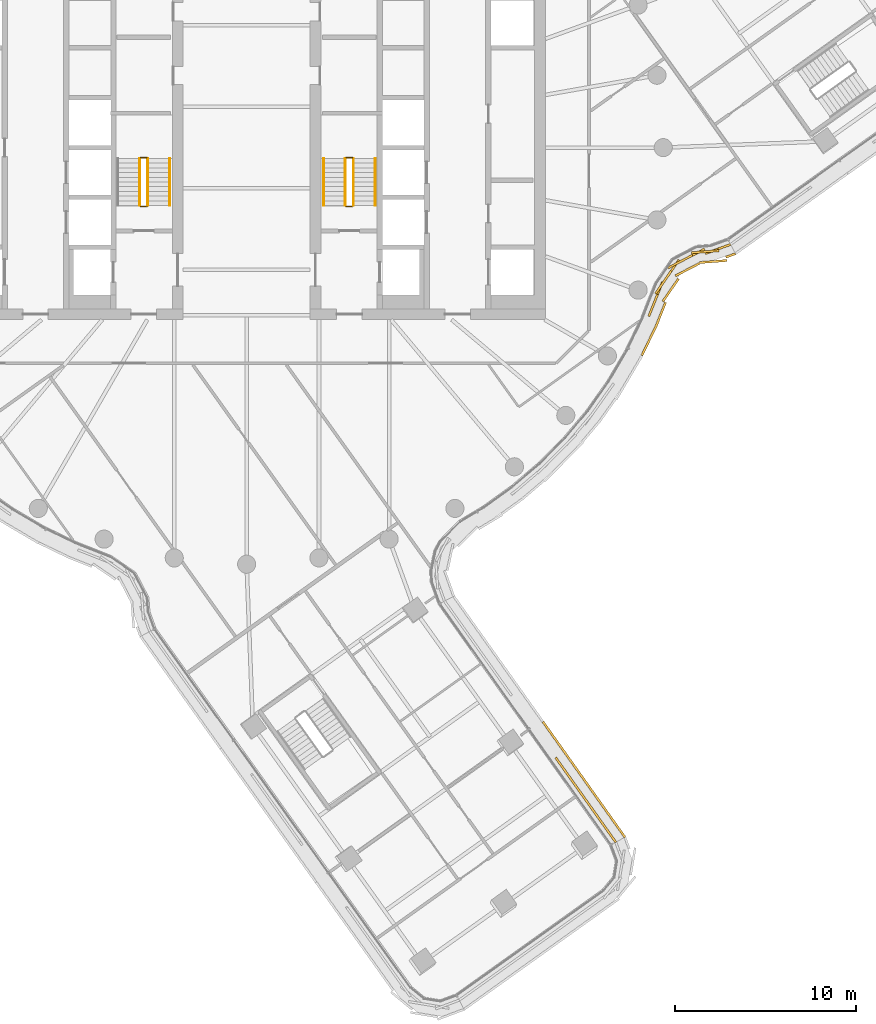
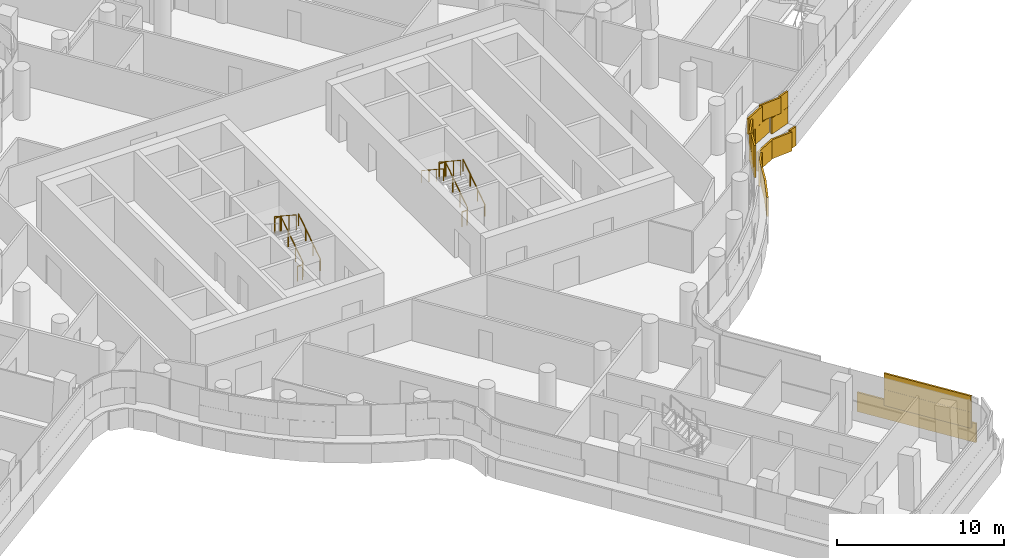
# One storey, part 28 of 31: 11 railings, 2 coverings.
"""IFC4 building model written with IfcOpenShell, lengths in metres."""

from ifc_helpers import new_model, si_unit, direction, frame, origin, origin_2d, place, context, subcontext, project, spatial, rectangle, circle, extrude, material, layer, layer_set, type_object, element, save


model = new_model("IFC4")

# Units and contexts
model_context = context("Model", 3, precision=1e-05, world=origin(), true_north=direction((0.0, 1.0)))
body_context = subcontext(model_context, "Body", "Model", "MODEL_VIEW")
ifc_project = project(units=[si_unit("LENGTHUNIT", "METRE"), si_unit("AREAUNIT", "SQUARE_METRE"), si_unit("VOLUMEUNIT", "CUBIC_METRE"), si_unit("PLANEANGLEUNIT", "RADIAN"), si_unit("MASSUNIT", "GRAM", prefix="KILO")], contexts=[model_context])

# Site, building, storey
site_placement = place(None, origin())
site = spatial("IfcSite", under=ifc_project, at=site_placement, CompositionType="ELEMENT")
building_placement = place(site_placement, origin())
building = spatial("IfcBuilding", under=site, at=building_placement, Name="Tamarind Cross Interchange Tower", CompositionType="ELEMENT")
storey_placement = place(building_placement, frame((0.0, 0.0, 163.0)))
storey = spatial("IfcBuildingStorey", under=building, at=storey_placement, Name="L40", CompositionType="ELEMENT", Elevation=163.0)

# Railings
ifc_material_1 = material(Name="Stair guard")
railing_type_1 = type_object("IfcRailingType", Name="Stair guard", PredefinedType="GUARDRAIL", material=ifc_material_1)
railing_1_placement = place(storey_placement, frame((-5.449951171875, -3.199951171875, 0.17041015625)))
element("IfcRailing", 1, at=railing_1_placement, inside=storey, type_object=railing_type_1, Name="L40 ST1 stair guard 1", PredefinedType="GUARDRAIL", context=body_context, shape_type="SweptSolid", body=[
    extrude(circle(Radius=0.02392578125, at=origin_2d()), frame((0.0, 0.0, 1.076171875), z_axis=(0.0, 0.836278606002, 0.548304744775), x_axis=(-1.0, 0.0, 0.0)), (0.0, 0.0, 1.0), 3.10888671875),
    extrude(circle(Radius=0.02099609375, at=origin_2d()), origin(), (0.0, 0.0, 1.0), 1.052001953125),
    extrude(circle(Radius=0.02099609375, at=origin_2d()), frame((0.0, 0.86669921875, 0.568115234375)), (0.0, 0.0, 1.0), 1.052001953125),
    extrude(circle(Radius=0.02099609375, at=origin_2d()), frame((0.0, 1.733154296875, 1.136474609375)), (0.0, 0.0, 1.0), 1.052001953125),
    extrude(circle(Radius=0.02099609375, at=origin_2d()), frame((0.0, 2.599853515625, 1.70458984375)), (0.0, 0.0, 1.0), 1.052001953125),
])
railing_2_placement = place(storey_placement, frame((-5.5, -0.550048828125, 1.875)))
element("IfcRailing", 2, at=railing_2_placement, inside=storey, type_object=railing_type_1, Name="L40 ST1 stair guard 2", PredefinedType="GUARDRAIL", context=body_context, shape_type="SweptSolid", body=[
    extrude(circle(Radius=0.02392578125, at=origin_2d()), frame((0.0, 0.0, 1.076171875), z_axis=(-1.0, 0.0, 0.0), x_axis=(0.0, -1.0, 0.0)), (0.0, 0.0, 1.0), 0.35009765625),
    extrude(circle(Radius=0.02099609375, at=origin_2d()), origin(), (0.0, 0.0, 1.0), 1.052001953125),
    extrude(circle(Radius=0.02099609375, at=origin_2d()), frame((-0.35009765625, 0.0, 0.0)), (0.0, 0.0, 1.0), 1.052001953125),
])
railing_3_placement = place(storey_placement, frame((-5.89990234375, -0.60009765625, 2.04541015625)))
element("IfcRailing", 3, at=railing_3_placement, inside=storey, type_object=railing_type_1, Name="L40 ST1 stair guard 3", PredefinedType="GUARDRAIL", context=body_context, shape_type="SweptSolid", body=[
    extrude(circle(Radius=0.02392578125, at=origin_2d()), frame((0.0, 0.0, 1.076171875), z_axis=(0.0, -0.836278606002, 0.548304744775), x_axis=(1.0, 0.0, 0.0)), (0.0, 0.0, 1.0), 3.10888671875),
    extrude(circle(Radius=0.02099609375, at=origin_2d()), origin(), (0.0, 0.0, 1.0), 1.052001953125),
    extrude(circle(Radius=0.02099609375, at=origin_2d()), frame((0.0, -0.86669921875, 0.568115234375)), (0.0, 0.0, 1.0), 1.052001953125),
    extrude(circle(Radius=0.02099609375, at=origin_2d()), frame((0.0, -1.733154296875, 1.136474609375)), (0.0, 0.0, 1.0), 1.052001953125),
    extrude(circle(Radius=0.02099609375, at=origin_2d()), frame((0.0, -2.599853515625, 1.70458984375)), (0.0, 0.0, 1.0), 1.052001953125),
])
railing_4_placement = place(storey_placement, frame((-5.5, -3.25, 0.0)))
element("IfcRailing", 4, at=railing_4_placement, inside=storey, type_object=railing_type_1, Name="L40 ST1 stair guard 4", PredefinedType="GUARDRAIL", context=body_context, shape_type="SweptSolid", body=[
    extrude(circle(Radius=0.02392578125, at=origin_2d()), frame((0.0, 0.0, 1.076171875), z_axis=(-1.0, 0.0, 0.0), x_axis=(0.0, -1.0, 0.0)), (0.0, 0.0, 1.0), 0.35009765625),
    extrude(circle(Radius=0.02099609375, at=origin_2d()), origin(), (0.0, 0.0, 1.0), 1.052001953125),
    extrude(circle(Radius=0.02099609375, at=origin_2d()), frame((-0.35009765625, 0.0, 0.0)), (0.0, 0.0, 1.0), 1.052001953125),
])
railing_5_placement = place(storey_placement, frame((5.89990234375, -3.199951171875, 0.17041015625)))
element("IfcRailing", 5, at=railing_5_placement, inside=storey, type_object=railing_type_1, Name="L40 ST2 stair guard 1", PredefinedType="GUARDRAIL", context=body_context, shape_type="SweptSolid", body=[
    extrude(circle(Radius=0.02392578125, at=origin_2d()), frame((0.0, 0.0, 1.076171875), z_axis=(0.0, 0.836278606002, 0.548304744775), x_axis=(-1.0, 0.0, 0.0)), (0.0, 0.0, 1.0), 3.10888671875),
    extrude(circle(Radius=0.02099609375, at=origin_2d()), origin(), (0.0, 0.0, 1.0), 1.052001953125),
    extrude(circle(Radius=0.02099609375, at=origin_2d()), frame((0.0, 0.86669921875, 0.568115234375)), (0.0, 0.0, 1.0), 1.052001953125),
    extrude(circle(Radius=0.02099609375, at=origin_2d()), frame((0.0, 1.733154296875, 1.136474609375)), (0.0, 0.0, 1.0), 1.052001953125),
    extrude(circle(Radius=0.02099609375, at=origin_2d()), frame((0.0, 2.599853515625, 1.70458984375)), (0.0, 0.0, 1.0), 1.052001953125),
])
railing_6_placement = place(storey_placement, frame((5.85009765625, -0.550048828125, 1.875)))
element("IfcRailing", 6, at=railing_6_placement, inside=storey, type_object=railing_type_1, Name="L40 ST2 stair guard 2", PredefinedType="GUARDRAIL", context=body_context, shape_type="SweptSolid", body=[
    extrude(circle(Radius=0.02392578125, at=origin_2d()), frame((0.0, 0.0, 1.076171875), z_axis=(-1.0, 0.0, 0.0), x_axis=(0.0, -1.0, 0.0)), (0.0, 0.0, 1.0), 0.35009765625),
    extrude(circle(Radius=0.02099609375, at=origin_2d()), origin(), (0.0, 0.0, 1.0), 1.052001953125),
    extrude(circle(Radius=0.02099609375, at=origin_2d()), frame((-0.35009765625, 0.0, 0.0)), (0.0, 0.0, 1.0), 1.052001953125),
])
railing_7_placement = place(storey_placement, frame((5.449951171875, -0.60009765625, 2.04541015625)))
element("IfcRailing", 7, at=railing_7_placement, inside=storey, type_object=railing_type_1, Name="L40 ST2 stair guard 3", PredefinedType="GUARDRAIL", context=body_context, shape_type="SweptSolid", body=[
    extrude(circle(Radius=0.02392578125, at=origin_2d()), frame((0.0, 0.0, 1.076171875), z_axis=(0.0, -0.836278606002, 0.548304744775), x_axis=(1.0, 0.0, 0.0)), (0.0, 0.0, 1.0), 3.10888671875),
    extrude(circle(Radius=0.02099609375, at=origin_2d()), origin(), (0.0, 0.0, 1.0), 1.052001953125),
    extrude(circle(Radius=0.02099609375, at=origin_2d()), frame((0.0, -0.86669921875, 0.568115234375)), (0.0, 0.0, 1.0), 1.052001953125),
    extrude(circle(Radius=0.02099609375, at=origin_2d()), frame((0.0, -1.733154296875, 1.136474609375)), (0.0, 0.0, 1.0), 1.052001953125),
    extrude(circle(Radius=0.02099609375, at=origin_2d()), frame((0.0, -2.599853515625, 1.70458984375)), (0.0, 0.0, 1.0), 1.052001953125),
])
railing_8_placement = place(storey_placement, frame((5.85009765625, -3.25, 0.0)))
element("IfcRailing", 8, at=railing_8_placement, inside=storey, type_object=railing_type_1, Name="L40 ST2 stair guard 4", PredefinedType="GUARDRAIL", context=body_context, shape_type="SweptSolid", body=[
    extrude(circle(Radius=0.02392578125, at=origin_2d()), frame((0.0, 0.0, 1.076171875), z_axis=(-1.0, 0.0, 0.0), x_axis=(0.0, -1.0, 0.0)), (0.0, 0.0, 1.0), 0.35009765625),
    extrude(circle(Radius=0.02099609375, at=origin_2d()), origin(), (0.0, 0.0, 1.0), 1.052001953125),
    extrude(circle(Radius=0.02099609375, at=origin_2d()), frame((-0.35009765625, 0.0, 0.0)), (0.0, 0.0, 1.0), 1.052001953125),
])
ifc_material_2 = material(Name="Stair handrail")
railing_type_2 = type_object("IfcRailingType", Name="Stair handrail", PredefinedType="HANDRAIL", material=ifc_material_2)
for number, where, name in (
    (9, (-4.25, -3.199951171875, 0.17041015625), "L40 ST1 stair handrail 1"),
    (10, (7.10009765625, -3.199951171875, 0.17041015625), "L40 ST2 stair handrail 1"),
):
    element("IfcRailing", number, at=place(storey_placement, frame(where)), inside=storey, type_object=railing_type_2, Name=name, PredefinedType="HANDRAIL", context=body_context, shape_type="SweptSolid", body=[
        extrude(circle(Radius=0.02392578125, at=origin_2d()), frame((0.0, 0.0, 0.8759765625), z_axis=(0.0, 0.836278606002, 0.548304744775), x_axis=(-1.0, 0.0, 0.0)), (0.0, 0.0, 1.0), 3.10888671875),
        extrude(circle(Radius=0.02099609375, at=origin_2d()), origin(), (0.0, 0.0, 1.0), 0.851806640625),
        extrude(circle(Radius=0.02099609375, at=origin_2d()), frame((0.0, 0.86669921875, 0.568115234375)), (0.0, 0.0, 1.0), 0.851806640625),
        extrude(circle(Radius=0.02099609375, at=origin_2d()), frame((0.0, 1.733154296875, 1.136474609375)), (0.0, 0.0, 1.0), 0.851806640625),
        extrude(circle(Radius=0.02099609375, at=origin_2d()), frame((0.0, 2.599853515625, 1.70458984375)), (0.0, 0.0, 1.0), 0.851806640625),
    ])
railing_9_placement = place(storey_placement, frame((4.25, -0.60009765625, 2.04541015625)))
element("IfcRailing", 11, at=railing_9_placement, inside=storey, type_object=railing_type_2, Name="L40 ST2 stair handrail 2", PredefinedType="HANDRAIL", context=body_context, shape_type="SweptSolid", body=[
    extrude(circle(Radius=0.02392578125, at=origin_2d()), frame((0.0, 0.0, 0.8759765625), z_axis=(0.0, -0.836278606002, 0.548304744775), x_axis=(1.0, 0.0, 0.0)), (0.0, 0.0, 1.0), 3.10888671875),
    extrude(circle(Radius=0.02099609375, at=origin_2d()), origin(), (0.0, 0.0, 1.0), 0.851806640625),
    extrude(circle(Radius=0.02099609375, at=origin_2d()), frame((0.0, -0.86669921875, 0.568115234375)), (0.0, 0.0, 1.0), 0.851806640625),
    extrude(circle(Radius=0.02099609375, at=origin_2d()), frame((0.0, -1.733154296875, 1.136474609375)), (0.0, 0.0, 1.0), 0.851806640625),
    extrude(circle(Radius=0.02099609375, at=origin_2d()), frame((0.0, -2.599853515625, 1.70458984375)), (0.0, 0.0, 1.0), 0.851806640625),
])

# Coverings
ifc_material_3 = material(Name="Terracotta", Category="masonry")
ifc_layer = layer(ifc_material_3, 0.1201171875)
ifc_layer_set = layer_set([ifc_layer], Name="Terracotta")
covering_type = type_object("IfcCoveringType", Name="Terracotta baguette screen unit", PredefinedType="MOLDING", material=ifc_layer_set)
covering_1_placement = place(storey_placement, origin())
element("IfcCovering", 12, at=covering_1_placement, inside=storey, type_object=covering_type, Name="SCR-L40-01-00", PredefinedType="MOLDING", context=body_context, shape_type="SweptSolid", body=[
    extrude(rectangle(XDim=1.510009765625, YDim=0.1201171875, at=origin_2d()), frame((19.9423828125, -37.72900390625, 1.404052734375), z_axis=(0.0, 0.0, 1.0), x_axis=(-0.579158818828, 0.815214734027, 0.0)), (0.0, 0.0, 1.0), 1.1669921875),
    extrude(rectangle(XDim=1.52001953125, YDim=0.1201171875, at=origin_2d()), frame((19.07373046875, -36.50634765625, 1.404052734375), z_axis=(0.0, 0.0, 1.0), x_axis=(-0.579158818828, 0.815214734027, 0.0)), (0.0, 0.0, 1.0), 1.1669921875),
    extrude(rectangle(XDim=1.52001953125, YDim=0.1201171875, at=origin_2d()), frame((18.205078125, -35.283447265625, 1.404052734375), z_axis=(0.0, 0.0, 1.0), x_axis=(-0.579158818828, 0.815214734027, 0.0)), (0.0, 0.0, 1.0), 1.1669921875),
    extrude(rectangle(XDim=1.236572265625, YDim=0.1201171875, at=origin_2d()), frame((17.41552734375, -34.172119140625, 1.404052734375), z_axis=(0.0, 0.0, 1.0), x_axis=(-0.579158818828, 0.815214734027, 0.0)), (0.0, 0.0, 1.0), 1.1669921875),
    extrude(rectangle(XDim=0.760009765625, YDim=0.1201171875, at=origin_2d()), frame((20.15966796875, -38.03466796875, 2.5791015625), z_axis=(0.0, 0.0, 1.0), x_axis=(-0.579158818828, 0.815214734027, 0.0)), (0.0, 0.0, 1.0), 1.1669921875),
    extrude(rectangle(XDim=1.52001953125, YDim=0.1201171875, at=origin_2d()), frame((19.508056640625, -37.11767578125, 2.5791015625), z_axis=(0.0, 0.0, 1.0), x_axis=(-0.579158818828, 0.815214734027, 0.0)), (0.0, 0.0, 1.0), 1.1669921875),
    extrude(rectangle(XDim=1.52001953125, YDim=0.1201171875, at=origin_2d()), frame((18.639404296875, -35.894775390625, 2.5791015625), z_axis=(0.0, 0.0, 1.0), x_axis=(-0.579158818828, 0.815214734027, 0.0)), (0.0, 0.0, 1.0), 1.1669921875),
    extrude(rectangle(XDim=1.52001953125, YDim=0.1201171875, at=origin_2d()), frame((17.7705078125, -34.671875, 2.5791015625), z_axis=(0.0, 0.0, 1.0), x_axis=(-0.579158818828, 0.815214734027, 0.0)), (0.0, 0.0, 1.0), 1.1669921875),
    extrude(rectangle(XDim=0.486572265625, YDim=0.1201171875, at=origin_2d()), frame((17.1982421875, -33.866455078125, 2.5791015625), z_axis=(0.0, 0.0, 1.0), x_axis=(-0.579158818828, 0.815214734027, 0.0)), (0.0, 0.0, 1.0), 1.1669921875),
    extrude(rectangle(XDim=1.510009765625, YDim=0.1201171875, at=origin_2d()), frame((20.450927734375, -37.45361328125, 0.00390625), z_axis=(0.0, 0.0, 1.0), x_axis=(-0.579158818828, 0.815214734027, 0.0)), (0.0, 0.0, 1.0), 1.39208984375),
    extrude(rectangle(XDim=1.52001953125, YDim=0.1201171875, at=origin_2d()), frame((19.5849609375, -36.23486328125, 0.00390625), z_axis=(0.0, 0.0, 1.0), x_axis=(-0.579158818828, 0.815214734027, 0.0)), (0.0, 0.0, 1.0), 1.39208984375),
    extrude(rectangle(XDim=1.52001953125, YDim=0.1201171875, at=origin_2d()), frame((18.71630859375, -35.011962890625, 0.00390625), z_axis=(0.0, 0.0, 1.0), x_axis=(-0.579158818828, 0.815214734027, 0.0)), (0.0, 0.0, 1.0), 1.39208984375),
    extrude(rectangle(XDim=1.52001953125, YDim=0.1201171875, at=origin_2d()), frame((17.84765625, -33.789306640625, 0.00390625), z_axis=(0.0, 0.0, 1.0), x_axis=(-0.579158818828, 0.815214734027, 0.0)), (0.0, 0.0, 1.0), 1.39208984375),
    extrude(rectangle(XDim=1.52001953125, YDim=0.1201171875, at=origin_2d()), frame((16.978759765625, -32.56640625, 0.00390625), z_axis=(0.0, 0.0, 1.0), x_axis=(-0.579158818828, 0.815214734027, 0.0)), (0.0, 0.0, 1.0), 1.39208984375),
    extrude(rectangle(XDim=0.33447265625, YDim=0.1201171875, at=origin_2d()), frame((16.453369140625, -31.82666015625, 0.00390625), z_axis=(0.0, 0.0, 1.0), x_axis=(-0.579158818828, 0.815214734027, 0.0)), (0.0, 0.0, 1.0), 1.39208984375),
])
covering_2_placement = place(storey_placement, origin())
element("IfcCovering", 13, at=covering_2_placement, inside=storey, type_object=covering_type, Name="SCR-L40-02-01", PredefinedType="MOLDING", context=body_context, shape_type="SweptSolid", body=[
    extrude(rectangle(XDim=0.55224609375, YDim=0.1201171875, at=origin_2d()), frame((22.305419921875, -9.058837890625, 1.404052734375), z_axis=(0.0, 0.0, 1.0), x_axis=(0.368472826685, 0.929638518993, 0.0)), (0.0, 0.0, 1.0), 1.1669921875),
    extrude(rectangle(XDim=1.52001953125, YDim=0.1201171875, at=origin_2d()), frame((22.681640625, -8.109619140625, 1.404052734375), z_axis=(0.0, 0.0, 1.0), x_axis=(0.368472826685, 0.929638518993, 0.0)), (0.0, 0.0, 1.0), 1.1669921875),
    extrude(rectangle(XDim=1.52001953125, YDim=0.1201171875, at=origin_2d()), frame((23.432861328125, -6.821044921875, 1.404052734375), z_axis=(0.0, 0.0, 1.0), x_axis=(0.567916811175, 0.823085958807, 0.0)), (0.0, 0.0, 1.0), 1.1669921875),
    extrude(rectangle(XDim=1.52001953125, YDim=0.1201171875, at=origin_2d()), frame((24.603515625, -5.947998046875, 1.404052734375), z_axis=(0.0, 0.0, 1.0), x_axis=(0.887819501132, 0.460191844136, 0.0)), (0.0, 0.0, 1.0), 1.1669921875),
    extrude(rectangle(XDim=1.4814453125, YDim=0.1201171875, at=origin_2d()), frame((26.0234375, -5.595947265625, 1.404052734375), z_axis=(0.0, 0.0, 1.0), x_axis=(0.94010171785, 0.340894059929, 0.0)), (0.0, 0.0, 1.0), 1.1669921875),
    extrude(rectangle(XDim=1.30224609375, YDim=0.1201171875, at=origin_2d()), frame((22.443603515625, -8.710205078125, 2.5791015625), z_axis=(0.0, 0.0, 1.0), x_axis=(0.368472826685, 0.929638518993, 0.0)), (0.0, 0.0, 1.0), 1.1669921875),
    extrude(rectangle(XDim=1.52001953125, YDim=0.1201171875, at=origin_2d()), frame((23.0068359375, -7.4384765625, 2.5791015625), z_axis=(0.0, 0.0, 1.0), x_axis=(0.567916811175, 0.823085958807, 0.0)), (0.0, 0.0, 1.0), 1.1669921875),
    extrude(rectangle(XDim=1.52001953125, YDim=0.1201171875, at=origin_2d()), frame((23.937744140625, -6.293212890625, 2.5791015625), z_axis=(0.0, 0.0, 1.0), x_axis=(0.887819501132, 0.460191844136, 0.0)), (0.0, 0.0, 1.0), 1.1669921875),
    extrude(rectangle(XDim=1.52001953125, YDim=0.1201171875, at=origin_2d()), frame((25.310546875, -5.748291015625, 2.5791015625), z_axis=(0.0, 0.0, 1.0), x_axis=(0.997133194261, 0.075666326087, 0.0)), (0.0, 0.0, 1.0), 1.1669921875),
    extrude(rectangle(XDim=0.7314453125, YDim=0.1201171875, at=origin_2d()), frame((26.3759765625, -5.468017578125, 2.5791015625), z_axis=(0.0, 0.0, 1.0), x_axis=(0.94010171785, 0.340894059929, 0.0)), (0.0, 0.0, 1.0), 1.1669921875),
    extrude(rectangle(XDim=0.2119140625, YDim=0.1201171875, at=origin_2d()), frame((21.864990234375, -11.382080078125, 0.00390625), z_axis=(0.0, 0.0, 1.0), x_axis=(0.435326231914, 0.900272776334, 0.0)), (0.0, 0.0, 1.0), 1.39208984375),
    extrude(rectangle(XDim=1.52001953125, YDim=0.1201171875, at=origin_2d()), frame((22.2333984375, -10.62060546875, 0.00390625), z_axis=(0.0, 0.0, 1.0), x_axis=(0.435326231914, 0.900272776334, 0.0)), (0.0, 0.0, 1.0), 1.39208984375),
    extrude(rectangle(XDim=1.52001953125, YDim=0.1201171875, at=origin_2d()), frame((22.84619140625, -9.25244140625, 0.00390625), z_axis=(0.0, 0.0, 1.0), x_axis=(0.368472826685, 0.929638518993, 0.0)), (0.0, 0.0, 1.0), 1.39208984375),
    extrude(rectangle(XDim=1.52001953125, YDim=0.1201171875, at=origin_2d()), frame((23.410400390625, -7.8642578125, 0.00390625), z_axis=(0.0, 0.0, 1.0), x_axis=(0.567916811175, 0.823085958807, 0.0)), (0.0, 0.0, 1.0), 1.39208984375),
    extrude(rectangle(XDim=1.52001953125, YDim=0.1201171875, at=origin_2d()), frame((24.34814453125, -6.72705078125, 0.00390625), z_axis=(0.0, 0.0, 1.0), x_axis=(0.887819501132, 0.460191844136, 0.0)), (0.0, 0.0, 1.0), 1.39208984375),
    extrude(rectangle(XDim=1.52001953125, YDim=0.1201171875, at=origin_2d()), frame((25.751953125, -6.290283203125, 0.00390625), z_axis=(0.0, 0.0, 1.0), x_axis=(0.997133194261, 0.075666326087, 0.0)), (0.0, 0.0, 1.0), 1.39208984375),
    extrude(rectangle(XDim=0.568115234375, YDim=0.1201171875, at=origin_2d()), frame((26.7177734375, -5.954833984375, 0.00390625), z_axis=(0.0, 0.0, 1.0), x_axis=(0.94010171785, 0.340894059929, 0.0)), (0.0, 0.0, 1.0), 1.39208984375),
])

save(model, "model.ifc")
